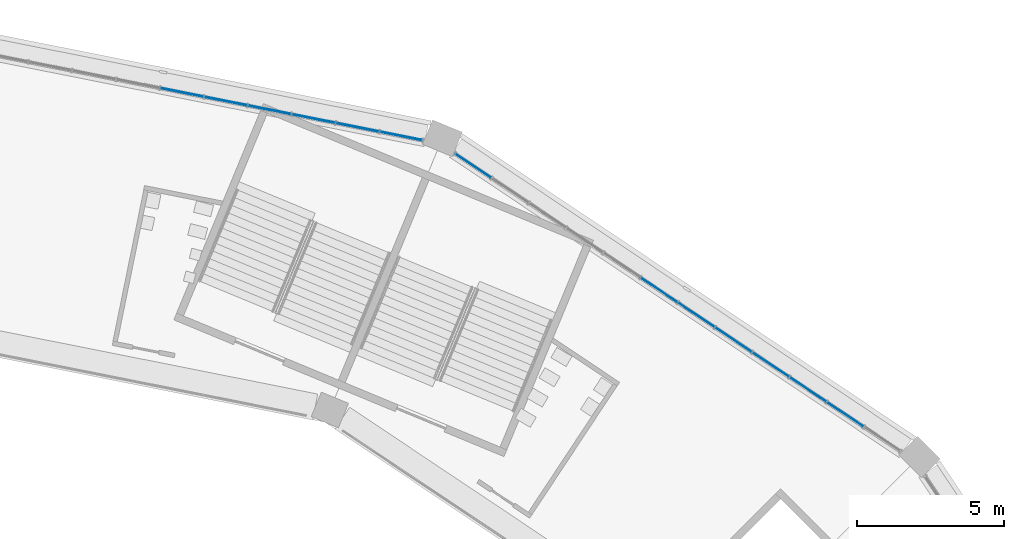
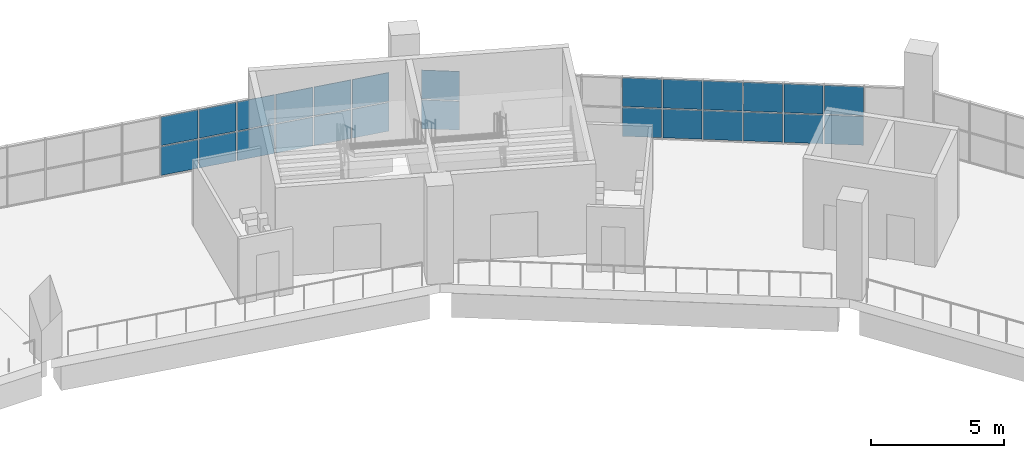
# One storey, part 59 of 177: 26 plates, 2 elements without a shape of their own.
"""IFC4 building model written with IfcOpenShell, lengths in metres."""

from ifc_helpers import new_model, si_unit, direction, frame, origin, origin_2d, place, context, subcontext, project, spatial, rectangle, extrude, material, layer, layer_set, type_object, element, aggregate, save


model = new_model("IFC4")

# Units and contexts
model_context = context("Model", 3, precision=1e-05, world=origin(), true_north=direction((0.0, 1.0)))
body_context = subcontext(model_context, "Body", "Model", "MODEL_VIEW")
ifc_project = project(units=[si_unit("LENGTHUNIT", "METRE"), si_unit("AREAUNIT", "SQUARE_METRE"), si_unit("VOLUMEUNIT", "CUBIC_METRE"), si_unit("PLANEANGLEUNIT", "RADIAN"), si_unit("MASSUNIT", "GRAM", prefix="KILO")], contexts=[model_context])

# Site, building, storey
site_placement = place(None, origin())
site = spatial("IfcSite", under=ifc_project, at=site_placement, CompositionType="ELEMENT")
building_placement = place(site_placement, origin())
building = spatial("IfcBuilding", under=site, at=building_placement, Name="Ogive Plaza Stadium", CompositionType="ELEMENT")
storey_placement = place(building_placement, frame((0.0, 0.0, 18.0)))
storey = spatial("IfcBuildingStorey", under=building, at=storey_placement, Name="L04", CompositionType="ELEMENT", Elevation=18.0)

# Curtain wall, plates
ifc_material_1 = material(Name="Bronze-anodised aluminium with laminated glass", Category="aluminium")
curtain_wall_type = type_object("IfcCurtainWallType", Name="Lancet curtain wall", PredefinedType="NOTDEFINED", material=ifc_material_1)
curtain_wall_1_placement = place(storey_placement, origin())
curtain_wall_1 = element("IfcCurtainWall", 1, at=curtain_wall_1_placement, inside=storey, type_object=curtain_wall_type, Name="CURTAIN WALL B37 L04", PredefinedType="NOTDEFINED")
ifc_material_2 = material(Name="Laminated glass", Category="glass")
ifc_layer = layer(ifc_material_2, 0.028076171875)
ifc_layer_set = layer_set([ifc_layer], Name="Laminated glass panel 28")
plate_type = type_object("IfcPlateType", Name="Laminated glass panel 28", PredefinedType="CURTAIN_PANEL", material=ifc_layer_set)
plate_1_placement = place(storey_placement, frame((44.274658203125, 100.25244140625, 0.0498046875), z_axis=(0.0, 0.0, 1.0), x_axis=(0.9807852804, -0.195090322033, 0.0)))
plate_1 = element("IfcPlate", 2, at=plate_1_placement, type_object=plate_type, Name="CW-B37-L04 panel 7.1", PredefinedType="CURTAIN_PANEL", context=body_context, shape_type="SweptSolid", body=[
    extrude(rectangle(XDim=1.472412109375, YDim=0.028076171875, at=origin_2d()), origin(), (0.0, 0.0, 1.0), 1.320068359375),
])
plate_2_placement = place(storey_placement, frame((44.274658203125, 100.25244140625, 1.419921875), z_axis=(0.0, 0.0, 1.0), x_axis=(0.9807852804, -0.195090322033, 0.0)))
plate_2 = element("IfcPlate", 3, at=plate_2_placement, type_object=plate_type, Name="CW-B37-L04 panel 7.2", PredefinedType="CURTAIN_PANEL", context=body_context, shape_type="SweptSolid", body=[
    extrude(rectangle(XDim=1.472412109375, YDim=0.028076171875, at=origin_2d()), origin(), (0.0, 0.0, 1.0), 1.320068359375),
])
plate_3_placement = place(storey_placement, frame((45.767822265625, 99.955322265625, 0.0498046875), z_axis=(0.0, 0.0, 1.0), x_axis=(0.9807852804, -0.195090322033, 0.0)))
plate_3 = element("IfcPlate", 4, at=plate_3_placement, type_object=plate_type, Name="CW-B37-L04 panel 8.1", PredefinedType="CURTAIN_PANEL", context=body_context, shape_type="SweptSolid", body=[
    extrude(rectangle(XDim=1.472412109375, YDim=0.028076171875, at=origin_2d()), origin(), (0.0, 0.0, 1.0), 1.320068359375),
])
plate_4_placement = place(storey_placement, frame((45.767822265625, 99.955322265625, 1.419921875), z_axis=(0.0, 0.0, 1.0), x_axis=(0.9807852804, -0.195090322033, 0.0)))
plate_4 = element("IfcPlate", 5, at=plate_4_placement, type_object=plate_type, Name="CW-B37-L04 panel 8.2", PredefinedType="CURTAIN_PANEL", context=body_context, shape_type="SweptSolid", body=[
    extrude(rectangle(XDim=1.472412109375, YDim=0.028076171875, at=origin_2d()), origin(), (0.0, 0.0, 1.0), 1.320068359375),
])
plate_5_placement = place(storey_placement, frame((47.2607421875, 99.658447265625, 0.0498046875), z_axis=(0.0, 0.0, 1.0), x_axis=(0.9807852804, -0.195090322033, 0.0)))
plate_5 = element("IfcPlate", 6, at=plate_5_placement, type_object=plate_type, Name="CW-B37-L04 panel 9.1", PredefinedType="CURTAIN_PANEL", context=body_context, shape_type="SweptSolid", body=[
    extrude(rectangle(XDim=1.472412109375, YDim=0.028076171875, at=origin_2d()), origin(), (0.0, 0.0, 1.0), 1.320068359375),
])
plate_6_placement = place(storey_placement, frame((47.2607421875, 99.658447265625, 1.419921875), z_axis=(0.0, 0.0, 1.0), x_axis=(0.9807852804, -0.195090322033, 0.0)))
plate_6 = element("IfcPlate", 7, at=plate_6_placement, type_object=plate_type, Name="CW-B37-L04 panel 9.2", PredefinedType="CURTAIN_PANEL", context=body_context, shape_type="SweptSolid", body=[
    extrude(rectangle(XDim=1.472412109375, YDim=0.028076171875, at=origin_2d()), origin(), (0.0, 0.0, 1.0), 1.320068359375),
])
plate_7_placement = place(storey_placement, frame((48.75390625, 99.361328125, 0.0498046875), z_axis=(0.0, 0.0, 1.0), x_axis=(0.9807852804, -0.195090322033, 0.0)))
plate_7 = element("IfcPlate", 8, at=plate_7_placement, type_object=plate_type, Name="CW-B37-L04 panel 10.1", PredefinedType="CURTAIN_PANEL", context=body_context, shape_type="SweptSolid", body=[
    extrude(rectangle(XDim=1.472412109375, YDim=0.028076171875, at=origin_2d()), origin(), (0.0, 0.0, 1.0), 1.320068359375),
])
plate_8_placement = place(storey_placement, frame((48.75390625, 99.361328125, 1.419921875), z_axis=(0.0, 0.0, 1.0), x_axis=(0.9807852804, -0.195090322033, 0.0)))
plate_8 = element("IfcPlate", 9, at=plate_8_placement, type_object=plate_type, Name="CW-B37-L04 panel 10.2", PredefinedType="CURTAIN_PANEL", context=body_context, shape_type="SweptSolid", body=[
    extrude(rectangle(XDim=1.472412109375, YDim=0.028076171875, at=origin_2d()), origin(), (0.0, 0.0, 1.0), 1.320068359375),
])
plate_9_placement = place(storey_placement, frame((50.2470703125, 99.064453125, 0.0498046875), z_axis=(0.0, 0.0, 1.0), x_axis=(0.9807852804, -0.195090322033, 0.0)))
plate_9 = element("IfcPlate", 10, at=plate_9_placement, type_object=plate_type, Name="CW-B37-L04 panel 11.1", PredefinedType="CURTAIN_PANEL", context=body_context, shape_type="SweptSolid", body=[
    extrude(rectangle(XDim=1.472412109375, YDim=0.028076171875, at=origin_2d()), origin(), (0.0, 0.0, 1.0), 1.320068359375),
])
plate_10_placement = place(storey_placement, frame((50.2470703125, 99.064453125, 1.419921875), z_axis=(0.0, 0.0, 1.0), x_axis=(0.9807852804, -0.195090322033, 0.0)))
plate_10 = element("IfcPlate", 11, at=plate_10_placement, type_object=plate_type, Name="CW-B37-L04 panel 11.2", PredefinedType="CURTAIN_PANEL", context=body_context, shape_type="SweptSolid", body=[
    extrude(rectangle(XDim=1.472412109375, YDim=0.028076171875, at=origin_2d()), origin(), (0.0, 0.0, 1.0), 1.320068359375),
])
plate_11_placement = place(storey_placement, frame((51.727783203125, 98.769775390625, 0.0498046875), z_axis=(0.0, 0.0, 1.0), x_axis=(0.9807852804, -0.195090322033, 0.0)))
plate_11 = element("IfcPlate", 12, at=plate_11_placement, type_object=plate_type, Name="CW-B37-L04 panel 12.1", PredefinedType="CURTAIN_PANEL", context=body_context, shape_type="SweptSolid", body=[
    extrude(rectangle(XDim=1.447265625, YDim=0.028076171875, at=origin_2d()), origin(), (0.0, 0.0, 1.0), 1.320068359375),
])
plate_12_placement = place(storey_placement, frame((51.727783203125, 98.769775390625, 1.419921875), z_axis=(0.0, 0.0, 1.0), x_axis=(0.9807852804, -0.195090322033, 0.0)))
plate_12 = element("IfcPlate", 13, at=plate_12_placement, type_object=plate_type, Name="CW-B37-L04 panel 12.2", PredefinedType="CURTAIN_PANEL", context=body_context, shape_type="SweptSolid", body=[
    extrude(rectangle(XDim=1.447265625, YDim=0.028076171875, at=origin_2d()), origin(), (0.0, 0.0, 1.0), 1.320068359375),
])
aggregate(curtain_wall_1, [plate_1, plate_2, plate_3, plate_4, plate_5, plate_6, plate_7, plate_8, plate_9, plate_10, plate_11, plate_12])

curtain_wall_2_placement = place(storey_placement, origin())
curtain_wall_2 = element("IfcCurtainWall", 14, at=curtain_wall_2_placement, inside=storey, type_object=curtain_wall_type, Name="CURTAIN WALL B38 L04", PredefinedType="NOTDEFINED")
plate_13_placement = place(storey_placement, frame((54.18212890625, 97.753173828125, 0.0498046875), z_axis=(0.0, 0.0, 1.0), x_axis=(0.831469612303, -0.55557023302, 0.0)))
plate_13 = element("IfcPlate", 15, at=plate_13_placement, type_object=plate_type, Name="CW-B38-L04 panel 1.1", PredefinedType="CURTAIN_PANEL", context=body_context, shape_type="SweptSolid", body=[
    extrude(rectangle(XDim=1.447265625, YDim=0.028076171875, at=origin_2d()), origin(), (0.0, 0.0, 1.0), 1.320068359375),
])
plate_14_placement = place(storey_placement, frame((54.18212890625, 97.753173828125, 1.419921875), z_axis=(0.0, 0.0, 1.0), x_axis=(0.831469612303, -0.55557023302, 0.0)))
plate_14 = element("IfcPlate", 16, at=plate_14_placement, type_object=plate_type, Name="CW-B38-L04 panel 1.2", PredefinedType="CURTAIN_PANEL", context=body_context, shape_type="SweptSolid", body=[
    extrude(rectangle(XDim=1.447265625, YDim=0.028076171875, at=origin_2d()), origin(), (0.0, 0.0, 1.0), 1.320068359375),
])
plate_15_placement = place(storey_placement, frame((60.500732421875, 93.53125, 0.0498046875), z_axis=(0.0, 0.0, 1.0), x_axis=(0.831469612303, -0.55557023302, 0.0)))
plate_15 = element("IfcPlate", 17, at=plate_15_placement, type_object=plate_type, Name="CW-B38-L04 panel 6.1", PredefinedType="CURTAIN_PANEL", context=body_context, shape_type="SweptSolid", body=[
    extrude(rectangle(XDim=1.472412109375, YDim=0.028076171875, at=origin_2d()), origin(), (0.0, 0.0, 1.0), 1.320068359375),
])
plate_16_placement = place(storey_placement, frame((60.500732421875, 93.53125, 1.419921875), z_axis=(0.0, 0.0, 1.0), x_axis=(0.831469612303, -0.55557023302, 0.0)))
plate_16 = element("IfcPlate", 18, at=plate_16_placement, type_object=plate_type, Name="CW-B38-L04 panel 6.2", PredefinedType="CURTAIN_PANEL", context=body_context, shape_type="SweptSolid", body=[
    extrude(rectangle(XDim=1.472412109375, YDim=0.028076171875, at=origin_2d()), origin(), (0.0, 0.0, 1.0), 1.320068359375),
])
plate_17_placement = place(storey_placement, frame((61.7666015625, 92.685546875, 0.0498046875), z_axis=(0.0, 0.0, 1.0), x_axis=(0.831469612303, -0.55557023302, 0.0)))
plate_17 = element("IfcPlate", 19, at=plate_17_placement, type_object=plate_type, Name="CW-B38-L04 panel 7.1", PredefinedType="CURTAIN_PANEL", context=body_context, shape_type="SweptSolid", body=[
    extrude(rectangle(XDim=1.472412109375, YDim=0.028076171875, at=origin_2d()), origin(), (0.0, 0.0, 1.0), 1.320068359375),
])
plate_18_placement = place(storey_placement, frame((61.7666015625, 92.685546875, 1.419921875), z_axis=(0.0, 0.0, 1.0), x_axis=(0.831469612303, -0.55557023302, 0.0)))
plate_18 = element("IfcPlate", 20, at=plate_18_placement, type_object=plate_type, Name="CW-B38-L04 panel 7.2", PredefinedType="CURTAIN_PANEL", context=body_context, shape_type="SweptSolid", body=[
    extrude(rectangle(XDim=1.472412109375, YDim=0.028076171875, at=origin_2d()), origin(), (0.0, 0.0, 1.0), 1.320068359375),
])
plate_19_placement = place(storey_placement, frame((63.0322265625, 91.839599609375, 0.0498046875), z_axis=(0.0, 0.0, 1.0), x_axis=(0.831469612303, -0.55557023302, 0.0)))
plate_19 = element("IfcPlate", 21, at=plate_19_placement, type_object=plate_type, Name="CW-B38-L04 panel 8.1", PredefinedType="CURTAIN_PANEL", context=body_context, shape_type="SweptSolid", body=[
    extrude(rectangle(XDim=1.472412109375, YDim=0.028076171875, at=origin_2d()), origin(), (0.0, 0.0, 1.0), 1.320068359375),
])
plate_20_placement = place(storey_placement, frame((63.0322265625, 91.839599609375, 1.419921875), z_axis=(0.0, 0.0, 1.0), x_axis=(0.831469612303, -0.55557023302, 0.0)))
plate_20 = element("IfcPlate", 22, at=plate_20_placement, type_object=plate_type, Name="CW-B38-L04 panel 8.2", PredefinedType="CURTAIN_PANEL", context=body_context, shape_type="SweptSolid", body=[
    extrude(rectangle(XDim=1.472412109375, YDim=0.028076171875, at=origin_2d()), origin(), (0.0, 0.0, 1.0), 1.320068359375),
])
plate_21_placement = place(storey_placement, frame((64.298095703125, 90.993896484375, 0.0498046875), z_axis=(0.0, 0.0, 1.0), x_axis=(0.831469612303, -0.55557023302, 0.0)))
plate_21 = element("IfcPlate", 23, at=plate_21_placement, type_object=plate_type, Name="CW-B38-L04 panel 9.1", PredefinedType="CURTAIN_PANEL", context=body_context, shape_type="SweptSolid", body=[
    extrude(rectangle(XDim=1.472412109375, YDim=0.028076171875, at=origin_2d()), origin(), (0.0, 0.0, 1.0), 1.320068359375),
])
plate_22_placement = place(storey_placement, frame((64.298095703125, 90.993896484375, 1.419921875), z_axis=(0.0, 0.0, 1.0), x_axis=(0.831469612303, -0.55557023302, 0.0)))
plate_22 = element("IfcPlate", 24, at=plate_22_placement, type_object=plate_type, Name="CW-B38-L04 panel 9.2", PredefinedType="CURTAIN_PANEL", context=body_context, shape_type="SweptSolid", body=[
    extrude(rectangle(XDim=1.472412109375, YDim=0.028076171875, at=origin_2d()), origin(), (0.0, 0.0, 1.0), 1.320068359375),
])
plate_23_placement = place(storey_placement, frame((65.56396484375, 90.148193359375, 0.0498046875), z_axis=(0.0, 0.0, 1.0), x_axis=(0.831469612303, -0.55557023302, 0.0)))
plate_23 = element("IfcPlate", 25, at=plate_23_placement, type_object=plate_type, Name="CW-B38-L04 panel 10.1", PredefinedType="CURTAIN_PANEL", context=body_context, shape_type="SweptSolid", body=[
    extrude(rectangle(XDim=1.472412109375, YDim=0.028076171875, at=origin_2d()), origin(), (0.0, 0.0, 1.0), 1.320068359375),
])
plate_24_placement = place(storey_placement, frame((65.56396484375, 90.148193359375, 1.419921875), z_axis=(0.0, 0.0, 1.0), x_axis=(0.831469612303, -0.55557023302, 0.0)))
plate_24 = element("IfcPlate", 26, at=plate_24_placement, type_object=plate_type, Name="CW-B38-L04 panel 10.2", PredefinedType="CURTAIN_PANEL", context=body_context, shape_type="SweptSolid", body=[
    extrude(rectangle(XDim=1.472412109375, YDim=0.028076171875, at=origin_2d()), origin(), (0.0, 0.0, 1.0), 1.320068359375),
])
plate_25_placement = place(storey_placement, frame((66.82958984375, 89.302490234375, 0.0498046875), z_axis=(0.0, 0.0, 1.0), x_axis=(0.831469612303, -0.55557023302, 0.0)))
plate_25 = element("IfcPlate", 27, at=plate_25_placement, type_object=plate_type, Name="CW-B38-L04 panel 11.1", PredefinedType="CURTAIN_PANEL", context=body_context, shape_type="SweptSolid", body=[
    extrude(rectangle(XDim=1.472412109375, YDim=0.028076171875, at=origin_2d()), origin(), (0.0, 0.0, 1.0), 1.320068359375),
])
plate_26_placement = place(storey_placement, frame((66.82958984375, 89.302490234375, 1.419921875), z_axis=(0.0, 0.0, 1.0), x_axis=(0.831469612303, -0.55557023302, 0.0)))
plate_26 = element("IfcPlate", 28, at=plate_26_placement, type_object=plate_type, Name="CW-B38-L04 panel 11.2", PredefinedType="CURTAIN_PANEL", context=body_context, shape_type="SweptSolid", body=[
    extrude(rectangle(XDim=1.472412109375, YDim=0.028076171875, at=origin_2d()), origin(), (0.0, 0.0, 1.0), 1.320068359375),
])
aggregate(curtain_wall_2, [plate_13, plate_14, plate_15, plate_16, plate_17, plate_18, plate_19, plate_20, plate_21, plate_22, plate_23, plate_24, plate_25, plate_26])

save(model, "model.ifc")
